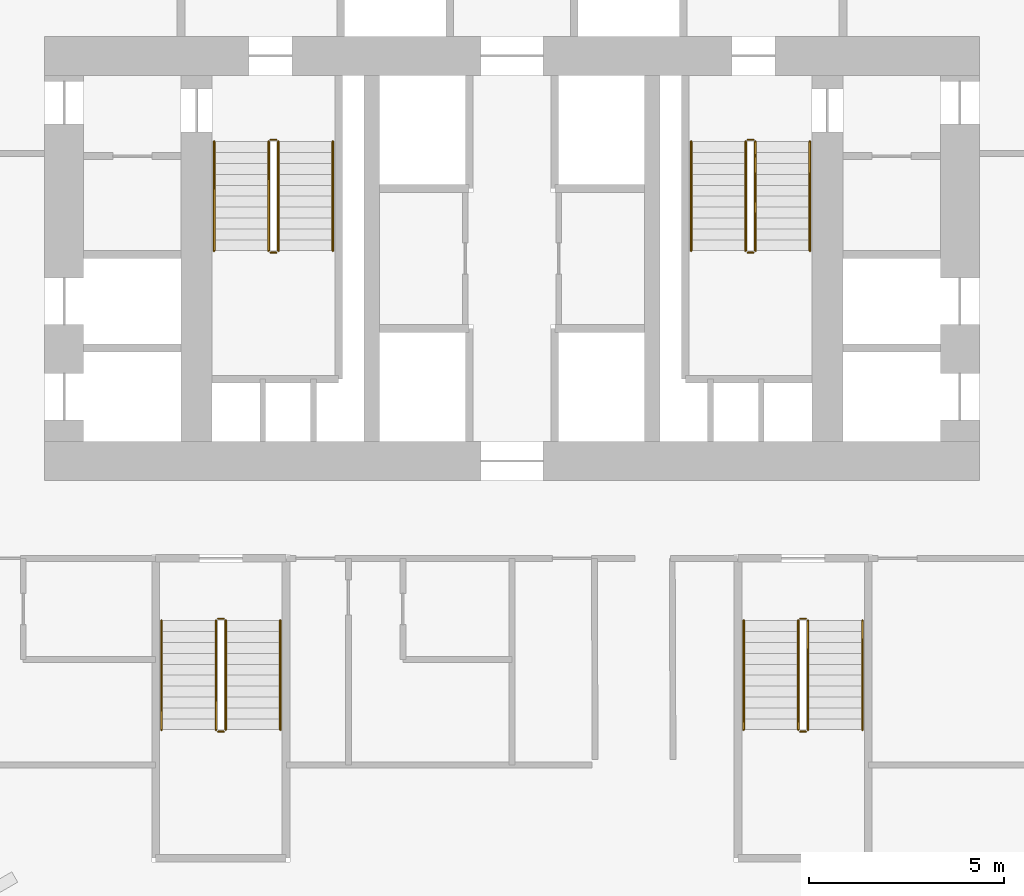
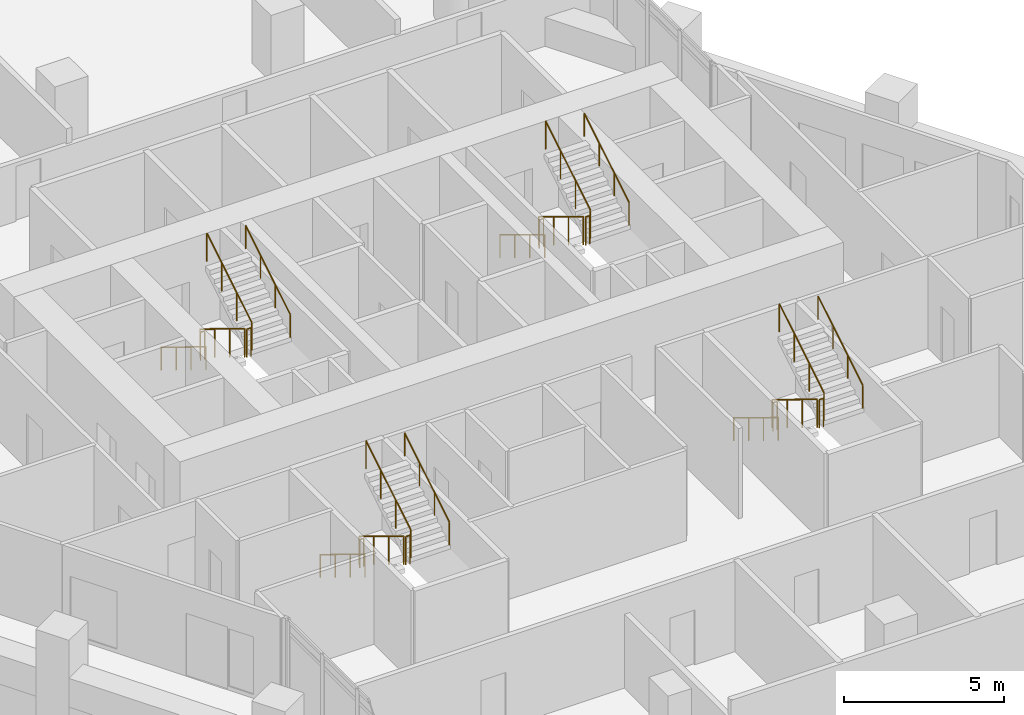
# One storey, part 28 of 28: 24 railings.
"""IFC4 building model written with IfcOpenShell, lengths in metres."""

from ifc_helpers import new_model, si_unit, direction, frame, origin, origin_2d, place, context, subcontext, project, spatial, circle, extrude, material, type_object, element, save


model = new_model("IFC4")

# Units and contexts
model_context = context("Model", 3, precision=1e-05, world=origin(), true_north=direction((0.0, 1.0)))
body_context = subcontext(model_context, "Body", "Model", "MODEL_VIEW")
ifc_project = project(units=[si_unit("LENGTHUNIT", "METRE"), si_unit("AREAUNIT", "SQUARE_METRE"), si_unit("VOLUMEUNIT", "CUBIC_METRE"), si_unit("PLANEANGLEUNIT", "RADIAN"), si_unit("MASSUNIT", "GRAM", prefix="KILO")], contexts=[model_context])

# Site, building, storey
site_placement = place(None, origin())
site = spatial("IfcSite", under=ifc_project, at=site_placement, CompositionType="ELEMENT")
building_placement = place(site_placement, origin())
building = spatial("IfcBuilding", under=site, at=building_placement, Name="Ostrander Bayou Hotel Tower", CompositionType="ELEMENT")
storey_placement = place(building_placement, frame((0.0, 0.0, 134.75)))
storey = spatial("IfcBuildingStorey", under=building, at=storey_placement, Name="L33", CompositionType="ELEMENT", Elevation=134.75)

# Railings
ifc_material_1 = material(Name="Steel ASTM A500 Gr C", Category="steel")
railing_type_1 = type_object("IfcRailingType", Name="GR1 stair guard 1100 mm steel", PredefinedType="GUARDRAIL", material=ifc_material_1)
railing_1_placement = place(storey_placement, frame((-6.25, 7.0, 0.17041015625)))
element("IfcRailing", 1, at=railing_1_placement, inside=storey, type_object=railing_type_1, Name="L33 STA stair guard 1", PredefinedType="GUARDRAIL", context=body_context, shape_type="SweptSolid", body=[
    extrude(circle(Radius=0.02392578125, at=origin_2d()), frame((0.0, 0.0, 1.076171875), z_axis=(0.0, -0.854169791009, 0.51999420009), x_axis=(1.0, 0.0, 0.0)), (0.0, 0.0, 1.0), 3.278076171875),
    extrude(circle(Radius=0.02099609375, at=origin_2d()), origin(), (0.0, 0.0, 1.0), 1.052001953125),
    extrude(circle(Radius=0.02099609375, at=origin_2d()), frame((0.0, -0.933349609375, 0.568115234375)), (0.0, 0.0, 1.0), 1.052001953125),
    extrude(circle(Radius=0.02099609375, at=origin_2d()), frame((0.0, -1.86669921875, 1.136474609375)), (0.0, 0.0, 1.0), 1.052001953125),
    extrude(circle(Radius=0.02099609375, at=origin_2d()), frame((0.0, -2.800048828125, 1.70458984375)), (0.0, 0.0, 1.0), 1.052001953125),
])
railing_2_placement = place(storey_placement, frame((-6.199951171875, 4.14990234375, 1.875)))
element("IfcRailing", 2, at=railing_2_placement, inside=storey, type_object=railing_type_1, Name="L33 STA stair guard 2", PredefinedType="GUARDRAIL", context=body_context, shape_type="SweptSolid", body=[
    extrude(circle(Radius=0.02392578125, at=origin_2d()), frame((0.0, 0.0, 1.076171875), z_axis=(1.0, 0.0, 0.0), x_axis=(0.0, 1.0, 0.0)), (0.0, 0.0, 1.0), 0.14990234375),
    extrude(circle(Radius=0.02099609375, at=origin_2d()), origin(), (0.0, 0.0, 1.0), 1.052001953125),
    extrude(circle(Radius=0.02099609375, at=origin_2d()), frame((0.14990234375, 0.0, 0.0)), (0.0, 0.0, 1.0), 1.052001953125),
])
railing_3_placement = place(storey_placement, frame((-6.0, 4.199951171875, 2.04541015625)))
element("IfcRailing", 3, at=railing_3_placement, inside=storey, type_object=railing_type_1, Name="L33 STA stair guard 3", PredefinedType="GUARDRAIL", context=body_context, shape_type="SweptSolid", body=[
    extrude(circle(Radius=0.02392578125, at=origin_2d()), frame((0.0, 0.0, 1.076171875), z_axis=(0.0, 0.854169791009, 0.51999420009), x_axis=(-1.0, 0.0, 0.0)), (0.0, 0.0, 1.0), 3.278076171875),
    extrude(circle(Radius=0.02099609375, at=origin_2d()), origin(), (0.0, 0.0, 1.0), 1.052001953125),
    extrude(circle(Radius=0.02099609375, at=origin_2d()), frame((0.0, 0.933349609375, 0.568115234375)), (0.0, 0.0, 1.0), 1.052001953125),
    extrude(circle(Radius=0.02099609375, at=origin_2d()), frame((0.0, 1.86669921875, 1.136474609375)), (0.0, 0.0, 1.0), 1.052001953125),
    extrude(circle(Radius=0.02099609375, at=origin_2d()), frame((0.0, 2.800048828125, 1.70458984375)), (0.0, 0.0, 1.0), 1.052001953125),
])
railing_4_placement = place(storey_placement, frame((-6.199951171875, 7.050048828125, 0.0)))
element("IfcRailing", 4, at=railing_4_placement, inside=storey, type_object=railing_type_1, Name="L33 STA stair guard 4", PredefinedType="GUARDRAIL", context=body_context, shape_type="SweptSolid", body=[
    extrude(circle(Radius=0.02392578125, at=origin_2d()), frame((0.0, 0.0, 1.076171875), z_axis=(1.0, 0.0, 0.0), x_axis=(0.0, 1.0, 0.0)), (0.0, 0.0, 1.0), 0.14990234375),
    extrude(circle(Radius=0.02099609375, at=origin_2d()), origin(), (0.0, 0.0, 1.0), 1.052001953125),
    extrude(circle(Radius=0.02099609375, at=origin_2d()), frame((0.14990234375, 0.0, 0.0)), (0.0, 0.0, 1.0), 1.052001953125),
])
railing_5_placement = place(storey_placement, frame((6.0, 7.0, 0.17041015625)))
element("IfcRailing", 5, at=railing_5_placement, inside=storey, type_object=railing_type_1, Name="L33 STB stair guard 1", PredefinedType="GUARDRAIL", context=body_context, shape_type="SweptSolid", body=[
    extrude(circle(Radius=0.02392578125, at=origin_2d()), frame((0.0, 0.0, 1.076171875), z_axis=(0.0, -0.854169791009, 0.51999420009), x_axis=(1.0, 0.0, 0.0)), (0.0, 0.0, 1.0), 3.278076171875),
    extrude(circle(Radius=0.02099609375, at=origin_2d()), origin(), (0.0, 0.0, 1.0), 1.052001953125),
    extrude(circle(Radius=0.02099609375, at=origin_2d()), frame((0.0, -0.933349609375, 0.568115234375)), (0.0, 0.0, 1.0), 1.052001953125),
    extrude(circle(Radius=0.02099609375, at=origin_2d()), frame((0.0, -1.86669921875, 1.136474609375)), (0.0, 0.0, 1.0), 1.052001953125),
    extrude(circle(Radius=0.02099609375, at=origin_2d()), frame((0.0, -2.800048828125, 1.70458984375)), (0.0, 0.0, 1.0), 1.052001953125),
])
railing_6_placement = place(storey_placement, frame((6.050048828125, 4.14990234375, 1.875)))
element("IfcRailing", 6, at=railing_6_placement, inside=storey, type_object=railing_type_1, Name="L33 STB stair guard 2", PredefinedType="GUARDRAIL", context=body_context, shape_type="SweptSolid", body=[
    extrude(circle(Radius=0.02392578125, at=origin_2d()), frame((0.0, 0.0, 1.076171875), z_axis=(1.0, 0.0, 0.0), x_axis=(0.0, 1.0, 0.0)), (0.0, 0.0, 1.0), 0.14990234375),
    extrude(circle(Radius=0.02099609375, at=origin_2d()), origin(), (0.0, 0.0, 1.0), 1.052001953125),
    extrude(circle(Radius=0.02099609375, at=origin_2d()), frame((0.14990234375, 0.0, 0.0)), (0.0, 0.0, 1.0), 1.052001953125),
])
railing_7_placement = place(storey_placement, frame((6.25, 4.199951171875, 2.04541015625)))
element("IfcRailing", 7, at=railing_7_placement, inside=storey, type_object=railing_type_1, Name="L33 STB stair guard 3", PredefinedType="GUARDRAIL", context=body_context, shape_type="SweptSolid", body=[
    extrude(circle(Radius=0.02392578125, at=origin_2d()), frame((0.0, 0.0, 1.076171875), z_axis=(0.0, 0.854169791009, 0.51999420009), x_axis=(-1.0, 0.0, 0.0)), (0.0, 0.0, 1.0), 3.278076171875),
    extrude(circle(Radius=0.02099609375, at=origin_2d()), origin(), (0.0, 0.0, 1.0), 1.052001953125),
    extrude(circle(Radius=0.02099609375, at=origin_2d()), frame((0.0, 0.933349609375, 0.568115234375)), (0.0, 0.0, 1.0), 1.052001953125),
    extrude(circle(Radius=0.02099609375, at=origin_2d()), frame((0.0, 1.86669921875, 1.136474609375)), (0.0, 0.0, 1.0), 1.052001953125),
    extrude(circle(Radius=0.02099609375, at=origin_2d()), frame((0.0, 2.800048828125, 1.70458984375)), (0.0, 0.0, 1.0), 1.052001953125),
])
railing_8_placement = place(storey_placement, frame((6.050048828125, 7.050048828125, 0.0)))
element("IfcRailing", 8, at=railing_8_placement, inside=storey, type_object=railing_type_1, Name="L33 STB stair guard 4", PredefinedType="GUARDRAIL", context=body_context, shape_type="SweptSolid", body=[
    extrude(circle(Radius=0.02392578125, at=origin_2d()), frame((0.0, 0.0, 1.076171875), z_axis=(1.0, 0.0, 0.0), x_axis=(0.0, 1.0, 0.0)), (0.0, 0.0, 1.0), 0.14990234375),
    extrude(circle(Radius=0.02099609375, at=origin_2d()), origin(), (0.0, 0.0, 1.0), 1.052001953125),
    extrude(circle(Radius=0.02099609375, at=origin_2d()), frame((0.14990234375, 0.0, 0.0)), (0.0, 0.0, 1.0), 1.052001953125),
])
railing_9_placement = place(storey_placement, frame((7.35009765625, -5.300048828125, 0.17041015625)))
element("IfcRailing", 9, at=railing_9_placement, inside=storey, type_object=railing_type_1, Name="L33 STC stair guard 1", PredefinedType="GUARDRAIL", context=body_context, shape_type="SweptSolid", body=[
    extrude(circle(Radius=0.02392578125, at=origin_2d()), frame((0.0, 0.0, 1.076171875), z_axis=(0.0, -0.854169791009, 0.51999420009), x_axis=(1.0, 0.0, 0.0)), (0.0, 0.0, 1.0), 3.278076171875),
    extrude(circle(Radius=0.02099609375, at=origin_2d()), origin(), (0.0, 0.0, 1.0), 1.052001953125),
    extrude(circle(Radius=0.02099609375, at=origin_2d()), frame((0.0, -0.933349609375, 0.568115234375)), (0.0, 0.0, 1.0), 1.052001953125),
    extrude(circle(Radius=0.02099609375, at=origin_2d()), frame((0.0, -1.86669921875, 1.136474609375)), (0.0, 0.0, 1.0), 1.052001953125),
    extrude(circle(Radius=0.02099609375, at=origin_2d()), frame((0.0, -2.800048828125, 1.70458984375)), (0.0, 0.0, 1.0), 1.052001953125),
])
railing_10_placement = place(storey_placement, frame((7.39990234375, -8.14990234375, 1.875)))
element("IfcRailing", 10, at=railing_10_placement, inside=storey, type_object=railing_type_1, Name="L33 STC stair guard 2", PredefinedType="GUARDRAIL", context=body_context, shape_type="SweptSolid", body=[
    extrude(circle(Radius=0.02392578125, at=origin_2d()), frame((0.0, 0.0, 1.076171875), z_axis=(1.0, 0.0, 0.0), x_axis=(0.0, 1.0, 0.0)), (0.0, 0.0, 1.0), 0.150146484375),
    extrude(circle(Radius=0.02099609375, at=origin_2d()), origin(), (0.0, 0.0, 1.0), 1.052001953125),
    extrude(circle(Radius=0.02099609375, at=origin_2d()), frame((0.150146484375, 0.0, 0.0)), (0.0, 0.0, 1.0), 1.052001953125),
])
railing_11_placement = place(storey_placement, frame((7.60009765625, -8.10009765625, 2.04541015625)))
element("IfcRailing", 11, at=railing_11_placement, inside=storey, type_object=railing_type_1, Name="L33 STC stair guard 3", PredefinedType="GUARDRAIL", context=body_context, shape_type="SweptSolid", body=[
    extrude(circle(Radius=0.02392578125, at=origin_2d()), frame((0.0, 0.0, 1.076171875), z_axis=(0.0, 0.854169791009, 0.51999420009), x_axis=(-1.0, 0.0, 0.0)), (0.0, 0.0, 1.0), 3.278076171875),
    extrude(circle(Radius=0.02099609375, at=origin_2d()), origin(), (0.0, 0.0, 1.0), 1.052001953125),
    extrude(circle(Radius=0.02099609375, at=origin_2d()), frame((0.0, 0.933349609375, 0.568115234375)), (0.0, 0.0, 1.0), 1.052001953125),
    extrude(circle(Radius=0.02099609375, at=origin_2d()), frame((0.0, 1.86669921875, 1.136474609375)), (0.0, 0.0, 1.0), 1.052001953125),
    extrude(circle(Radius=0.02099609375, at=origin_2d()), frame((0.0, 2.800048828125, 1.70458984375)), (0.0, 0.0, 1.0), 1.052001953125),
])
railing_12_placement = place(storey_placement, frame((7.39990234375, -5.25, 0.0)))
element("IfcRailing", 12, at=railing_12_placement, inside=storey, type_object=railing_type_1, Name="L33 STC stair guard 4", PredefinedType="GUARDRAIL", context=body_context, shape_type="SweptSolid", body=[
    extrude(circle(Radius=0.02392578125, at=origin_2d()), frame((0.0, 0.0, 1.076171875), z_axis=(1.0, 0.0, 0.0), x_axis=(0.0, 1.0, 0.0)), (0.0, 0.0, 1.0), 0.150146484375),
    extrude(circle(Radius=0.02099609375, at=origin_2d()), origin(), (0.0, 0.0, 1.0), 1.052001953125),
    extrude(circle(Radius=0.02099609375, at=origin_2d()), frame((0.150146484375, 0.0, 0.0)), (0.0, 0.0, 1.0), 1.052001953125),
])
railing_13_placement = place(storey_placement, frame((-7.60009765625, -5.300048828125, 0.17041015625)))
element("IfcRailing", 13, at=railing_13_placement, inside=storey, type_object=railing_type_1, Name="L33 STD stair guard 1", PredefinedType="GUARDRAIL", context=body_context, shape_type="SweptSolid", body=[
    extrude(circle(Radius=0.02392578125, at=origin_2d()), frame((0.0, 0.0, 1.076171875), z_axis=(0.0, -0.854169791009, 0.51999420009), x_axis=(1.0, 0.0, 0.0)), (0.0, 0.0, 1.0), 3.278076171875),
    extrude(circle(Radius=0.02099609375, at=origin_2d()), origin(), (0.0, 0.0, 1.0), 1.052001953125),
    extrude(circle(Radius=0.02099609375, at=origin_2d()), frame((0.0, -0.933349609375, 0.568115234375)), (0.0, 0.0, 1.0), 1.052001953125),
    extrude(circle(Radius=0.02099609375, at=origin_2d()), frame((0.0, -1.86669921875, 1.136474609375)), (0.0, 0.0, 1.0), 1.052001953125),
    extrude(circle(Radius=0.02099609375, at=origin_2d()), frame((0.0, -2.800048828125, 1.70458984375)), (0.0, 0.0, 1.0), 1.052001953125),
])
railing_14_placement = place(storey_placement, frame((-7.550048828125, -8.14990234375, 1.875)))
element("IfcRailing", 14, at=railing_14_placement, inside=storey, type_object=railing_type_1, Name="L33 STD stair guard 2", PredefinedType="GUARDRAIL", context=body_context, shape_type="SweptSolid", body=[
    extrude(circle(Radius=0.02392578125, at=origin_2d()), frame((0.0, 0.0, 1.076171875), z_axis=(1.0, 0.0, 0.0), x_axis=(0.0, 1.0, 0.0)), (0.0, 0.0, 1.0), 0.150146484375),
    extrude(circle(Radius=0.02099609375, at=origin_2d()), origin(), (0.0, 0.0, 1.0), 1.052001953125),
    extrude(circle(Radius=0.02099609375, at=origin_2d()), frame((0.150146484375, 0.0, 0.0)), (0.0, 0.0, 1.0), 1.052001953125),
])
railing_15_placement = place(storey_placement, frame((-7.35009765625, -8.10009765625, 2.04541015625)))
element("IfcRailing", 15, at=railing_15_placement, inside=storey, type_object=railing_type_1, Name="L33 STD stair guard 3", PredefinedType="GUARDRAIL", context=body_context, shape_type="SweptSolid", body=[
    extrude(circle(Radius=0.02392578125, at=origin_2d()), frame((0.0, 0.0, 1.076171875), z_axis=(0.0, 0.854169791009, 0.51999420009), x_axis=(-1.0, 0.0, 0.0)), (0.0, 0.0, 1.0), 3.278076171875),
    extrude(circle(Radius=0.02099609375, at=origin_2d()), origin(), (0.0, 0.0, 1.0), 1.052001953125),
    extrude(circle(Radius=0.02099609375, at=origin_2d()), frame((0.0, 0.933349609375, 0.568115234375)), (0.0, 0.0, 1.0), 1.052001953125),
    extrude(circle(Radius=0.02099609375, at=origin_2d()), frame((0.0, 1.86669921875, 1.136474609375)), (0.0, 0.0, 1.0), 1.052001953125),
    extrude(circle(Radius=0.02099609375, at=origin_2d()), frame((0.0, 2.800048828125, 1.70458984375)), (0.0, 0.0, 1.0), 1.052001953125),
])
railing_16_placement = place(storey_placement, frame((-7.550048828125, -5.25, 0.0)))
element("IfcRailing", 16, at=railing_16_placement, inside=storey, type_object=railing_type_1, Name="L33 STD stair guard 4", PredefinedType="GUARDRAIL", context=body_context, shape_type="SweptSolid", body=[
    extrude(circle(Radius=0.02392578125, at=origin_2d()), frame((0.0, 0.0, 1.076171875), z_axis=(1.0, 0.0, 0.0), x_axis=(0.0, 1.0, 0.0)), (0.0, 0.0, 1.0), 0.150146484375),
    extrude(circle(Radius=0.02099609375, at=origin_2d()), origin(), (0.0, 0.0, 1.0), 1.052001953125),
    extrude(circle(Radius=0.02099609375, at=origin_2d()), frame((0.150146484375, 0.0, 0.0)), (0.0, 0.0, 1.0), 1.052001953125),
])
ifc_material_2 = material(Name="Steel ASTM A500 Gr C", Category="steel")
railing_type_2 = type_object("IfcRailingType", Name="HR1 stair handrail 900 mm steel", PredefinedType="HANDRAIL", material=ifc_material_2)
railing_17_placement = place(storey_placement, frame((-7.64990234375, 7.0, 0.17041015625)))
element("IfcRailing", 17, at=railing_17_placement, inside=storey, type_object=railing_type_2, Name="L33 STA stair handrail 1", PredefinedType="HANDRAIL", context=body_context, shape_type="SweptSolid", body=[
    extrude(circle(Radius=0.02392578125, at=origin_2d()), frame((0.0, 0.0, 0.8759765625), z_axis=(0.0, -0.854169791009, 0.51999420009), x_axis=(1.0, 0.0, 0.0)), (0.0, 0.0, 1.0), 3.278076171875),
    extrude(circle(Radius=0.02099609375, at=origin_2d()), origin(), (0.0, 0.0, 1.0), 0.851806640625),
    extrude(circle(Radius=0.02099609375, at=origin_2d()), frame((0.0, -0.933349609375, 0.568115234375)), (0.0, 0.0, 1.0), 0.851806640625),
    extrude(circle(Radius=0.02099609375, at=origin_2d()), frame((0.0, -1.86669921875, 1.136474609375)), (0.0, 0.0, 1.0), 0.851806640625),
    extrude(circle(Radius=0.02099609375, at=origin_2d()), frame((0.0, -2.800048828125, 1.70458984375)), (0.0, 0.0, 1.0), 0.851806640625),
])
railing_18_placement = place(storey_placement, frame((-4.60009765625, 4.199951171875, 2.04541015625)))
element("IfcRailing", 18, at=railing_18_placement, inside=storey, type_object=railing_type_2, Name="L33 STA stair handrail 2", PredefinedType="HANDRAIL", context=body_context, shape_type="SweptSolid", body=[
    extrude(circle(Radius=0.02392578125, at=origin_2d()), frame((0.0, 0.0, 0.8759765625), z_axis=(0.0, 0.854169791009, 0.51999420009), x_axis=(-1.0, 0.0, 0.0)), (0.0, 0.0, 1.0), 3.278076171875),
    extrude(circle(Radius=0.02099609375, at=origin_2d()), origin(), (0.0, 0.0, 1.0), 0.851806640625),
    extrude(circle(Radius=0.02099609375, at=origin_2d()), frame((0.0, 0.933349609375, 0.568115234375)), (0.0, 0.0, 1.0), 0.851806640625),
    extrude(circle(Radius=0.02099609375, at=origin_2d()), frame((0.0, 1.86669921875, 1.136474609375)), (0.0, 0.0, 1.0), 0.851806640625),
    extrude(circle(Radius=0.02099609375, at=origin_2d()), frame((0.0, 2.800048828125, 1.70458984375)), (0.0, 0.0, 1.0), 0.851806640625),
])
railing_19_placement = place(storey_placement, frame((4.60009765625, 7.0, 0.17041015625)))
element("IfcRailing", 19, at=railing_19_placement, inside=storey, type_object=railing_type_2, Name="L33 STB stair handrail 1", PredefinedType="HANDRAIL", context=body_context, shape_type="SweptSolid", body=[
    extrude(circle(Radius=0.02392578125, at=origin_2d()), frame((0.0, 0.0, 0.8759765625), z_axis=(0.0, -0.854169791009, 0.51999420009), x_axis=(1.0, 0.0, 0.0)), (0.0, 0.0, 1.0), 3.278076171875),
    extrude(circle(Radius=0.02099609375, at=origin_2d()), origin(), (0.0, 0.0, 1.0), 0.851806640625),
    extrude(circle(Radius=0.02099609375, at=origin_2d()), frame((0.0, -0.933349609375, 0.568115234375)), (0.0, 0.0, 1.0), 0.851806640625),
    extrude(circle(Radius=0.02099609375, at=origin_2d()), frame((0.0, -1.86669921875, 1.136474609375)), (0.0, 0.0, 1.0), 0.851806640625),
    extrude(circle(Radius=0.02099609375, at=origin_2d()), frame((0.0, -2.800048828125, 1.70458984375)), (0.0, 0.0, 1.0), 0.851806640625),
])
railing_20_placement = place(storey_placement, frame((7.64990234375, 4.199951171875, 2.04541015625)))
element("IfcRailing", 20, at=railing_20_placement, inside=storey, type_object=railing_type_2, Name="L33 STB stair handrail 2", PredefinedType="HANDRAIL", context=body_context, shape_type="SweptSolid", body=[
    extrude(circle(Radius=0.02392578125, at=origin_2d()), frame((0.0, 0.0, 0.8759765625), z_axis=(0.0, 0.854169791009, 0.51999420009), x_axis=(-1.0, 0.0, 0.0)), (0.0, 0.0, 1.0), 3.278076171875),
    extrude(circle(Radius=0.02099609375, at=origin_2d()), origin(), (0.0, 0.0, 1.0), 0.851806640625),
    extrude(circle(Radius=0.02099609375, at=origin_2d()), frame((0.0, 0.933349609375, 0.568115234375)), (0.0, 0.0, 1.0), 0.851806640625),
    extrude(circle(Radius=0.02099609375, at=origin_2d()), frame((0.0, 1.86669921875, 1.136474609375)), (0.0, 0.0, 1.0), 0.851806640625),
    extrude(circle(Radius=0.02099609375, at=origin_2d()), frame((0.0, 2.800048828125, 1.70458984375)), (0.0, 0.0, 1.0), 0.851806640625),
])
railing_21_placement = place(storey_placement, frame((5.949951171875, -5.300048828125, 0.17041015625)))
element("IfcRailing", 21, at=railing_21_placement, inside=storey, type_object=railing_type_2, Name="L33 STC stair handrail 1", PredefinedType="HANDRAIL", context=body_context, shape_type="SweptSolid", body=[
    extrude(circle(Radius=0.02392578125, at=origin_2d()), frame((0.0, 0.0, 0.8759765625), z_axis=(0.0, -0.854169791009, 0.51999420009), x_axis=(1.0, 0.0, 0.0)), (0.0, 0.0, 1.0), 3.278076171875),
    extrude(circle(Radius=0.02099609375, at=origin_2d()), origin(), (0.0, 0.0, 1.0), 0.851806640625),
    extrude(circle(Radius=0.02099609375, at=origin_2d()), frame((0.0, -0.933349609375, 0.568115234375)), (0.0, 0.0, 1.0), 0.851806640625),
    extrude(circle(Radius=0.02099609375, at=origin_2d()), frame((0.0, -1.86669921875, 1.136474609375)), (0.0, 0.0, 1.0), 0.851806640625),
    extrude(circle(Radius=0.02099609375, at=origin_2d()), frame((0.0, -2.800048828125, 1.70458984375)), (0.0, 0.0, 1.0), 0.851806640625),
])
railing_22_placement = place(storey_placement, frame((9.0, -8.10009765625, 2.04541015625)))
element("IfcRailing", 22, at=railing_22_placement, inside=storey, type_object=railing_type_2, Name="L33 STC stair handrail 2", PredefinedType="HANDRAIL", context=body_context, shape_type="SweptSolid", body=[
    extrude(circle(Radius=0.02392578125, at=origin_2d()), frame((0.0, 0.0, 0.8759765625), z_axis=(0.0, 0.854169791009, 0.51999420009), x_axis=(-1.0, 0.0, 0.0)), (0.0, 0.0, 1.0), 3.278076171875),
    extrude(circle(Radius=0.02099609375, at=origin_2d()), origin(), (0.0, 0.0, 1.0), 0.851806640625),
    extrude(circle(Radius=0.02099609375, at=origin_2d()), frame((0.0, 0.933349609375, 0.568115234375)), (0.0, 0.0, 1.0), 0.851806640625),
    extrude(circle(Radius=0.02099609375, at=origin_2d()), frame((0.0, 1.86669921875, 1.136474609375)), (0.0, 0.0, 1.0), 0.851806640625),
    extrude(circle(Radius=0.02099609375, at=origin_2d()), frame((0.0, 2.800048828125, 1.70458984375)), (0.0, 0.0, 1.0), 0.851806640625),
])
railing_23_placement = place(storey_placement, frame((-9.0, -5.300048828125, 0.17041015625)))
element("IfcRailing", 23, at=railing_23_placement, inside=storey, type_object=railing_type_2, Name="L33 STD stair handrail 1", PredefinedType="HANDRAIL", context=body_context, shape_type="SweptSolid", body=[
    extrude(circle(Radius=0.02392578125, at=origin_2d()), frame((0.0, 0.0, 0.8759765625), z_axis=(0.0, -0.854169791009, 0.51999420009), x_axis=(1.0, 0.0, 0.0)), (0.0, 0.0, 1.0), 3.278076171875),
    extrude(circle(Radius=0.02099609375, at=origin_2d()), origin(), (0.0, 0.0, 1.0), 0.851806640625),
    extrude(circle(Radius=0.02099609375, at=origin_2d()), frame((0.0, -0.933349609375, 0.568115234375)), (0.0, 0.0, 1.0), 0.851806640625),
    extrude(circle(Radius=0.02099609375, at=origin_2d()), frame((0.0, -1.86669921875, 1.136474609375)), (0.0, 0.0, 1.0), 0.851806640625),
    extrude(circle(Radius=0.02099609375, at=origin_2d()), frame((0.0, -2.800048828125, 1.70458984375)), (0.0, 0.0, 1.0), 0.851806640625),
])
railing_24_placement = place(storey_placement, frame((-5.949951171875, -8.10009765625, 2.04541015625)))
element("IfcRailing", 24, at=railing_24_placement, inside=storey, type_object=railing_type_2, Name="L33 STD stair handrail 2", PredefinedType="HANDRAIL", context=body_context, shape_type="SweptSolid", body=[
    extrude(circle(Radius=0.02392578125, at=origin_2d()), frame((0.0, 0.0, 0.8759765625), z_axis=(0.0, 0.854169791009, 0.51999420009), x_axis=(-1.0, 0.0, 0.0)), (0.0, 0.0, 1.0), 3.278076171875),
    extrude(circle(Radius=0.02099609375, at=origin_2d()), origin(), (0.0, 0.0, 1.0), 0.851806640625),
    extrude(circle(Radius=0.02099609375, at=origin_2d()), frame((0.0, 0.933349609375, 0.568115234375)), (0.0, 0.0, 1.0), 0.851806640625),
    extrude(circle(Radius=0.02099609375, at=origin_2d()), frame((0.0, 1.86669921875, 1.136474609375)), (0.0, 0.0, 1.0), 0.851806640625),
    extrude(circle(Radius=0.02099609375, at=origin_2d()), frame((0.0, 2.800048828125, 1.70458984375)), (0.0, 0.0, 1.0), 0.851806640625),
])

save(model, "model.ifc")
